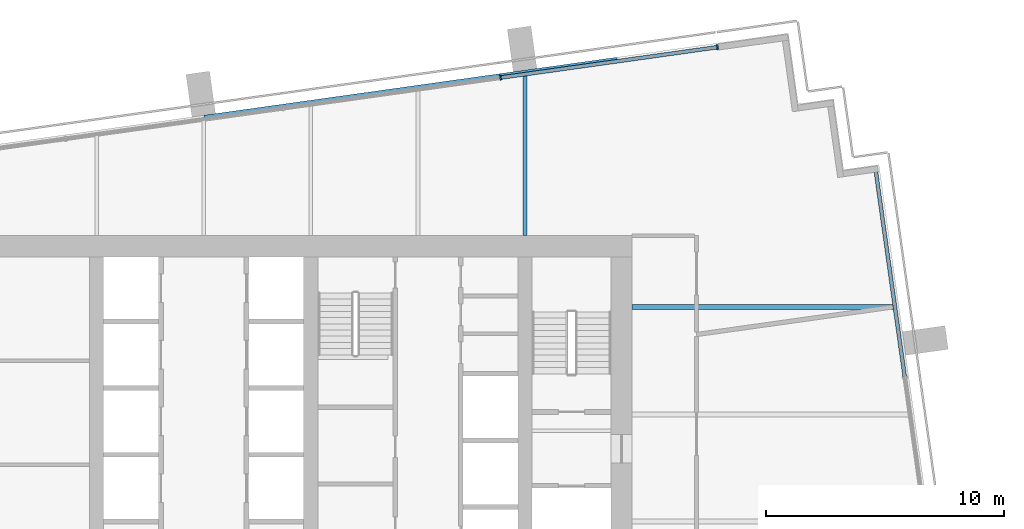
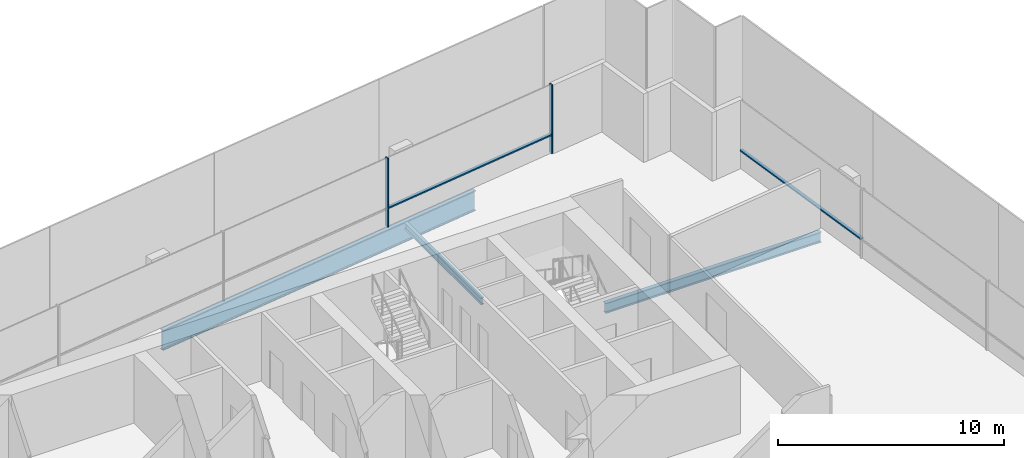
# One storey, part 7 of 17: 4 members, 3 beams, 2 elements without a shape of their own.
"""IFC4 building model written with IfcOpenShell, lengths in metres."""

import ifcopenshell
import ifcopenshell.guid

model = None  # the IFC model being written
_history = None  # IfcOwnerHistory: only IFC2X3 demands one
_inside = {}  # id of a spatial element -> (the spatial element, [elements in it])
_under = {}  # id of a project, library or spatial element -> (it, [spatial elements below it])
_declared = {}  # id of a project -> (the project, [libraries it declares])
_typed = {}  # id of a type object -> (the type object, [elements of that type])
_made_of = {}  # id of a material, layer set ... -> (it, [elements and type objects made of it])


def new_model(schema):
    """Start an empty IFC model of exactly this schema.

    Asked for "IFC4X3", IfcOpenShell would pick the latest addendum, in which some entities
    have other attributes; the version numbers below select the first issue.
    IFC2X3 requires an IfcOwnerHistory on every rooted entity: one is made here for all.
    """
    global model, _history
    if schema == "IFC4X3":
        model = ifcopenshell.file(schema_version=(4, 3, 0, 0))
    else:
        model = ifcopenshell.file(schema=schema)
    _inside.clear()
    _under.clear()
    _declared.clear()
    _typed.clear()
    _made_of.clear()
    _history = None
    if model.schema == "IFC2X3":
        org = make("IfcOrganization", Name="unknown")
        user = make(
            "IfcPersonAndOrganization",
            ThePerson=make("IfcPerson", FamilyName="unknown"),
            TheOrganization=org,
        )
        app = make(
            "IfcApplication",
            ApplicationDeveloper=org,
            Version="unknown",
            ApplicationFullName="unknown",
            ApplicationIdentifier="unknown",
        )
        _history = make(
            "IfcOwnerHistory",
            OwningUser=user,
            OwningApplication=app,
            ChangeAction="ADDED",
            CreationDate=0,
        )
    return model


def make(cls, **values):
    """One entity of the class cls with the attributes given. An attribute that is None is left unset."""
    return model.create_entity(
        cls, **{name: value for name, value in values.items() if value is not None}
    )


def rooted(cls, **values):
    """An entity with a GlobalId (a new one), such as an element, a storey or a relation."""
    return make(cls, GlobalId=ifcopenshell.guid.new(), OwnerHistory=_history, **values)


def si_unit(unit_type, name, prefix=None):
    """IfcSIUnit, for example si_unit("LENGTHUNIT", "METRE", prefix="MILLI")."""
    return make("IfcSIUnit", UnitType=unit_type, Prefix=prefix, Name=name)


def assignment(units):
    """IfcUnitAssignment: the units of a project."""
    return None if units is None else make("IfcUnitAssignment", Units=units)


def point(xyz):
    """IfcCartesianPoint."""
    return None if xyz is None else make("IfcCartesianPoint", Coordinates=xyz)


def direction(xyz):
    """IfcDirection."""
    return None if xyz is None else make("IfcDirection", DirectionRatios=xyz)


def frame(location, z_axis=None, x_axis=None):
    """IfcAxis2Placement3D, a coordinate frame: its origin and axes. An axis left out is left unset."""
    return make(
        "IfcAxis2Placement3D",
        Location=point(location),
        Axis=direction(z_axis),
        RefDirection=direction(x_axis),
    )


def frame_2d(location, x_axis=None):
    """IfcAxis2Placement2D, a coordinate frame in the plane: its origin and x axis."""
    return make(
        "IfcAxis2Placement2D", Location=point(location), RefDirection=direction(x_axis)
    )


def origin():
    """The frame at (0, 0, 0) with its axes left unset."""
    return frame((0.0, 0.0, 0.0))


def origin_2d():
    """The frame at (0, 0) in the plane with its x axis left unset."""
    return frame_2d((0.0, 0.0))


def place(relative_to, where):
    """IfcLocalPlacement: puts the frame where relative to a parent placement (None: the world)."""
    return make(
        "IfcLocalPlacement", PlacementRelTo=relative_to, RelativePlacement=where
    )


def context(
    kind, dimensions, precision=None, world=None, true_north=None, identifier=None
):
    """IfcGeometricRepresentationContext, for example the 3D "Model" context."""
    return make(
        "IfcGeometricRepresentationContext",
        ContextIdentifier=identifier,
        ContextType=kind,
        CoordinateSpaceDimension=dimensions,
        Precision=precision,
        WorldCoordinateSystem=world,
        TrueNorth=true_north,
    )


def subcontext(parent, identifier, kind, view, scale=None):
    """IfcGeometricRepresentationSubContext, for example "Body" below "Model"."""
    return make(
        "IfcGeometricRepresentationSubContext",
        ContextIdentifier=identifier,
        ContextType=kind,
        ParentContext=parent,
        TargetScale=scale,
        TargetView=view,
    )


def project(units=None, contexts=None):
    """IfcProject with its units and contexts."""
    return rooted(
        "IfcProject",
        Name="project",
        RepresentationContexts=contexts,
        UnitsInContext=assignment(units),
    )


def spatial(cls, under=None, at=None, **own):
    """A site, building, storey or space (cls), placed at a placement, below another one or the project."""
    s = rooted(cls, ObjectPlacement=at, **own)
    if under is not None:
        _under.setdefault(under.id(), (under, []))[1].append(s)
    return s


def profile(cls, at=None, kind="AREA", **sizes):
    """A parametric profile (cls). Its sizes go by their IFC names, for example OverallWidth=200.0."""
    return make(cls, ProfileType=kind, Position=at, **sizes)


def rectangle(**sizes):
    """IfcRectangleProfileDef."""
    return profile("IfcRectangleProfileDef", **sizes)


def i_section(**sizes):
    """IfcIShapeProfileDef."""
    return profile("IfcIShapeProfileDef", **sizes)


def extrude(swept, where, along, depth):
    """IfcExtrudedAreaSolid: the profile swept, set in the frame where, extruded along a direction by depth."""
    return make(
        "IfcExtrudedAreaSolid",
        SweptArea=swept,
        Position=where,
        ExtrudedDirection=direction(along),
        Depth=depth,
    )


def shape(context_of_items, identifier, shape_type, items):
    """IfcShapeRepresentation: the items that make up one representation, for example the "Body"."""
    return make(
        "IfcShapeRepresentation",
        ContextOfItems=context_of_items,
        RepresentationIdentifier=identifier,
        RepresentationType=shape_type,
        Items=items,
    )


def material(Name=None, Category=None):
    """IfcMaterial."""
    return make("IfcMaterial", Name=Name, Category=Category)


def layer(
    of_material, thickness, ventilated=None, Name=None, Category=None, Priority=None
):
    """IfcMaterialLayer: one layer of a wall or slab, of a material (None: an air gap)."""
    return make(
        "IfcMaterialLayer",
        Material=of_material,
        LayerThickness=thickness,
        IsVentilated=ventilated,
        Name=Name,
        Category=Category,
        Priority=Priority,
    )


def layer_set(layers, Name=None):
    """IfcMaterialLayerSet."""
    return make("IfcMaterialLayerSet", MaterialLayers=layers, LayerSetName=Name)


def material_profile(
    of_material, cross_section, Name=None, Category=None, Priority=None
):
    """IfcMaterialProfile: a cross section and its material."""
    return make(
        "IfcMaterialProfile",
        Name=Name,
        Material=of_material,
        Profile=cross_section,
        Priority=Priority,
        Category=Category,
    )


def profile_set(profiles, Name=None, composite=None):
    """IfcMaterialProfileSet."""
    return make(
        "IfcMaterialProfileSet",
        Name=Name,
        MaterialProfiles=profiles,
        CompositeProfile=composite,
    )


def made_of(thing, what):
    """Note that an element or type object is made of a material, layer set ...; save() writes the relation."""
    if what is not None:
        _made_of.setdefault(what.id(), (what, []))[1].append(thing)
    return thing


def type_object(cls, material=None, **own):
    """A type object (cls), such as IfcWallType, which elements share."""
    return made_of(rooted(cls, **own), material)


def element(
    cls,
    number,
    at=None,
    inside=None,
    cuts=None,
    type_object=None,
    material=None,
    context=None,
    identifier="Body",
    shape_type=None,
    held_by="IfcProductDefinitionShape",
    body=None,
    shapes=None,
    **own,
):
    """One element of the class cls, such as IfcWall. Its Tag is "e" and its number.

    at: its placement. inside: the storey or other place that contains it. cuts: it is an
    opening in that element (IfcRelVoidsElement). A single representation is given by context,
    identifier, shape_type and body (its items); several are given by shapes. held_by: the class
    of the entity that holds the representations. save() writes the other relations.
    """
    e = rooted(cls, Tag="e%d" % number, ObjectPlacement=at, **own)
    if body is not None:
        shapes = [shape(context, identifier, shape_type, body)]
    if shapes is not None:
        e.Representation = make(held_by, Representations=shapes)
    if inside is not None:
        _inside.setdefault(inside.id(), (inside, []))[1].append(e)
    if cuts is not None:
        rooted(
            "IfcRelVoidsElement", RelatingBuildingElement=cuts, RelatedOpeningElement=e
        )
    if type_object is not None:
        _typed.setdefault(type_object.id(), (type_object, []))[1].append(e)
    return made_of(e, material)


def aggregate(whole, parts):
    """IfcRelAggregates: a whole, such as a stair, and the parts it consists of."""
    return rooted("IfcRelAggregates", RelatingObject=whole, RelatedObjects=parts)


def save(model, path):
    """Write the relations noted so far, then the file.

    IfcRelAggregates (storeys below a building ...), IfcRelContainedInSpatialStructure (elements
    in a storey), IfcRelDefinesByType, IfcRelAssociatesMaterial and IfcRelDeclares: one each for
    every whole, place, type object, material and project.
    """
    for whole, parts in _under.values():
        aggregate(whole, parts)
    for where, things in _inside.values():
        rooted(
            "IfcRelContainedInSpatialStructure",
            RelatedElements=things,
            RelatingStructure=where,
        )
    for kind, things in _typed.values():
        rooted("IfcRelDefinesByType", RelatedObjects=things, RelatingType=kind)
    for what, things in _made_of.values():
        rooted("IfcRelAssociatesMaterial", RelatedObjects=things, RelatingMaterial=what)
    for by, libraries in _declared.values():
        rooted("IfcRelDeclares", RelatingContext=by, RelatedDefinitions=libraries)
    model.write(path)


model = new_model("IFC4")

# Units and contexts
model_context = context("Model", 3, precision=1e-05, world=origin(), true_north=direction((0.0, 1.0)))
body_context = subcontext(model_context, "Body", "Model", "MODEL_VIEW")
ifc_project = project(units=[si_unit("LENGTHUNIT", "METRE"), si_unit("AREAUNIT", "SQUARE_METRE"), si_unit("VOLUMEUNIT", "CUBIC_METRE"), si_unit("PLANEANGLEUNIT", "RADIAN"), si_unit("MASSUNIT", "GRAM", prefix="KILO")], contexts=[model_context])

# Site, building, storey
site_placement = place(None, origin())
site = spatial("IfcSite", under=ifc_project, at=site_placement, CompositionType="ELEMENT")
building_placement = place(site_placement, origin())
building = spatial("IfcBuilding", under=site, at=building_placement, Name="Rattan Terrace Tower", CompositionType="ELEMENT")
storey_placement = place(building_placement, frame((0.0, 0.0, 213.5)))
storey = spatial("IfcBuildingStorey", under=building, at=storey_placement, Name="L48", CompositionType="ELEMENT", Elevation=213.5)

# Beams
ifc_material_1 = material(Name="Steel S460", Category="steel")
ifc_material_profile_1 = material_profile(ifc_material_1, i_section(OverallWidth=0.179931640625, OverallDepth=1.10009765625, WebThickness=0.01611328125, FlangeThickness=0.050048828125, at=origin_2d()), Name="PG 1100x180-16-50")
ifc_profile_set_1 = profile_set([ifc_material_profile_1], Name="Steel S460")
beam_type_1 = type_object("IfcBeamType", Name="Frame edge girder PG 1100x180-16-50", PredefinedType="SPANDREL", material=ifc_profile_set_1)
beam_1_placement = place(storey_placement, frame((17.3740234375, 14.909912109375, -0.75), z_axis=(-0.990275742813, -0.139118486179, 0.0), x_axis=(0.139118486179, -0.990275742813, 0.0)))
element("IfcBeam", 1, at=beam_1_placement, inside=storey, type_object=beam_type_1, Name="gdr-L48-006", PredefinedType="SPANDREL", context=body_context, shape_type="SweptSolid", body=[
    extrude(i_section(OverallWidth=0.179931640625, OverallDepth=1.10009765625, WebThickness=0.01611328125, FlangeThickness=0.050048828125, at=origin_2d()), origin(), (0.0, 0.0, 1.0), 17.531494140625),
])
ifc_material_2 = material(Name="Steel S355", Category="steel")
ifc_material_profile_2 = material_profile(ifc_material_2, i_section(OverallWidth=0.169921875, OverallDepth=0.360107421875, WebThickness=0.008056640625, FlangeThickness=0.0126953125, FilletRadius=0.01806640625, at=origin_2d()), Name="IPE 360")
ifc_profile_set_2 = profile_set([ifc_material_profile_2], Name="Steel S355")
beam_type_2 = type_object("IfcBeamType", Name="Frame floor beam IPE 360", PredefinedType="JOIST", material=ifc_profile_set_2)
beam_2_placement = place(storey_placement, frame((13.5, 7.5, -0.3798828125), z_axis=(0.0, 1.0, 0.0), x_axis=(-1.0, 0.0, 0.0)))
element("IfcBeam", 2, at=beam_2_placement, inside=storey, type_object=beam_type_2, Name="bm-L48-020", PredefinedType="JOIST", context=body_context, shape_type="SweptSolid", body=[
    extrude(i_section(OverallWidth=0.169921875, OverallDepth=0.360107421875, WebThickness=0.008056640625, FlangeThickness=0.0126953125, FilletRadius=0.01806640625, at=origin_2d()), origin(), (0.0, 0.0, 1.0), 6.762939453125),
])
ifc_material_3 = material(Name="Steel S355", Category="steel")
ifc_material_profile_3 = material_profile(ifc_material_3, i_section(OverallWidth=0.2099609375, OverallDepth=0.550048828125, WebThickness=0.010986328125, FlangeThickness=0.01708984375, FilletRadius=0.02392578125, at=origin_2d()), Name="IPE 550")
ifc_profile_set_3 = profile_set([ifc_material_profile_3], Name="Steel S355")
beam_type_3 = type_object("IfcBeamType", Name="Frame floor beam IPE 550", PredefinedType="JOIST", material=ifc_profile_set_3)
beam_3_placement = place(storey_placement, frame((18.0, 4.5, -0.47509765625), z_axis=(1.0, 0.0, 0.0), x_axis=(0.0, 1.0, 0.0)))
element("IfcBeam", 3, at=beam_3_placement, inside=storey, type_object=beam_type_3, Name="bm-L48-013", PredefinedType="JOIST", context=body_context, shape_type="SweptSolid", body=[
    extrude(i_section(OverallWidth=0.2099609375, OverallDepth=0.550048828125, WebThickness=0.010986328125, FlangeThickness=0.01708984375, FilletRadius=0.02392578125, at=origin_2d()), origin(), (0.0, 0.0, 1.0), 11.013916015625),
])

# Curtain wall, members
ifc_material_4 = material(Name="Aluminium and laminated glass", Category="aluminium")
ifc_layer = layer(ifc_material_4, 0.199951171875)
ifc_layer_set = layer_set([ifc_layer], Name="High-Zone Unitised Curtain Wall")
curtain_wall_type = type_object("IfcCurtainWallType", Name="High-Zone Unitised Curtain Wall", PredefinedType="NOTDEFINED", material=ifc_layer_set)
curtain_wall_1_placement = place(storey_placement, origin())
curtain_wall_1 = element("IfcCurtainWall", 4, at=curtain_wall_1_placement, inside=storey, type_object=curtain_wall_type, Name="High-zone curtain wall L48-2", PredefinedType="NOTDEFINED")
ifc_material_5 = material(Name="Aluminium", Category="aluminium")
ifc_material_profile_4 = material_profile(ifc_material_5, rectangle(XDim=0.070068359375, YDim=0.199951171875, at=origin_2d()), Name="Aluminium 70x200")
ifc_profile_set_4 = profile_set([ifc_material_profile_4], Name="Aluminium")
member_type_1 = type_object("IfcMemberType", Name="High-Zone CW Mullion 70x200", PredefinedType="MULLION", material=ifc_profile_set_4)
member_1_placement = place(storey_placement, frame((21.580078125, 15.4208984375, 0.0), z_axis=(0.0, 0.0, 1.0), x_axis=(-0.990267457022, -0.139177453499, 0.0)))
member_1 = element("IfcMember", 5, at=member_1_placement, type_object=member_type_1, Name="Mullion cwl-L48-002.1", PredefinedType="MULLION", context=body_context, shape_type="SweptSolid", body=[
    extrude(rectangle(XDim=0.070068359375, YDim=0.199951171875, at=origin_2d()), origin(), (0.0, 0.0, 1.0), 3.699951171875),
])
member_2_placement = place(storey_placement, frame((12.473388671875, 14.140869140625, 0.0), z_axis=(0.0, 0.0, 1.0), x_axis=(-0.990267457022, -0.139177453499, 0.0)))
member_2 = element("IfcMember", 6, at=member_2_placement, type_object=member_type_1, Name="Mullion cwl-L48-002.2", PredefinedType="MULLION", context=body_context, shape_type="SweptSolid", body=[
    extrude(rectangle(XDim=0.070068359375, YDim=0.199951171875, at=origin_2d()), origin(), (0.0, 0.0, 1.0), 3.699951171875),
])

# Curtain wall, member
curtain_wall_2_placement = place(storey_placement, origin())
curtain_wall_2 = element("IfcCurtainWall", 7, at=curtain_wall_2_placement, inside=storey, type_object=curtain_wall_type, Name="High-zone curtain wall L48-1", PredefinedType="NOTDEFINED")
ifc_material_6 = material(Name="Aluminium", Category="aluminium")
ifc_material_profile_5 = material_profile(ifc_material_6, rectangle(XDim=0.159912109375, YDim=0.070068359375, at=origin_2d()), Name="Aluminium 160x70")
ifc_profile_set_5 = profile_set([ifc_material_profile_5], Name="Aluminium")
member_type_2 = type_object("IfcMemberType", Name="High-Zone CW Transom 160x70", PredefinedType="USERDEFINED", material=ifc_profile_set_5)
member_3_placement = place(storey_placement, frame((29.447509765625, 1.585693359375, 1.0), z_axis=(-0.139193563319, 0.990265192729, 0.0), x_axis=(-0.990265192729, -0.139193563319, 0.0)))
member_3 = element("IfcMember", 8, at=member_3_placement, type_object=member_type_2, Name="Transom cwl-L48-001.3", ObjectType="TRANSOM", PredefinedType="USERDEFINED", context=body_context, shape_type="SweptSolid", body=[
    extrude(rectangle(XDim=0.159912109375, YDim=0.070068359375, at=origin_2d()), origin(), (0.0, 0.0, 1.0), 8.669921875),
])
aggregate(curtain_wall_2, [member_3])

# Member
member_4_placement = place(storey_placement, frame((21.54541015625, 15.416015625, 1.0), z_axis=(-0.990265856778, -0.139188838988, 0.0), x_axis=(0.139188838988, -0.990265856778, 0.0)))
member_4 = element("IfcMember", 9, at=member_4_placement, type_object=member_type_2, Name="Transom cwl-L48-002.1", ObjectType="TRANSOM", PredefinedType="USERDEFINED", context=body_context, shape_type="SweptSolid", body=[
    extrude(rectangle(XDim=0.159912109375, YDim=0.070068359375, at=origin_2d()), origin(), (0.0, 0.0, 1.0), 9.126220703125),
])

aggregate(curtain_wall_1, [member_1, member_2, member_4])

save(model, "model.ifc")
